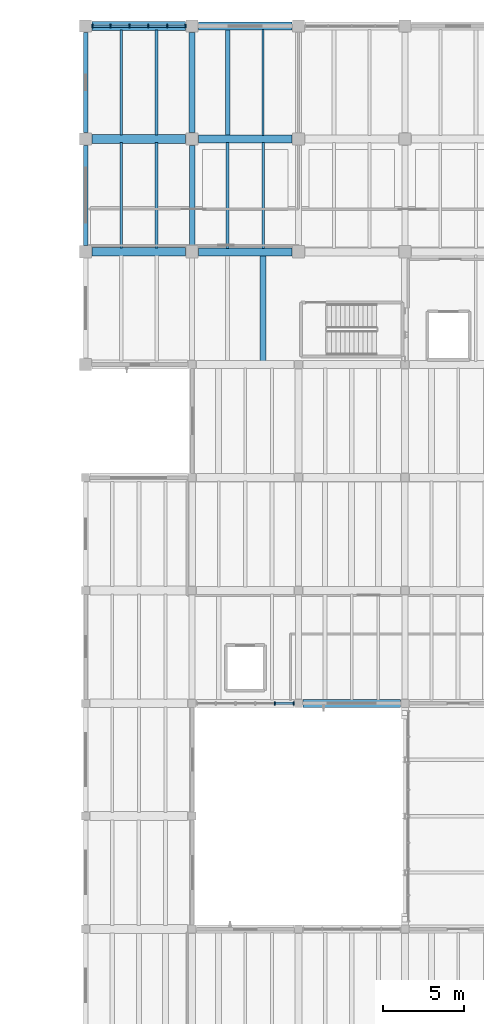
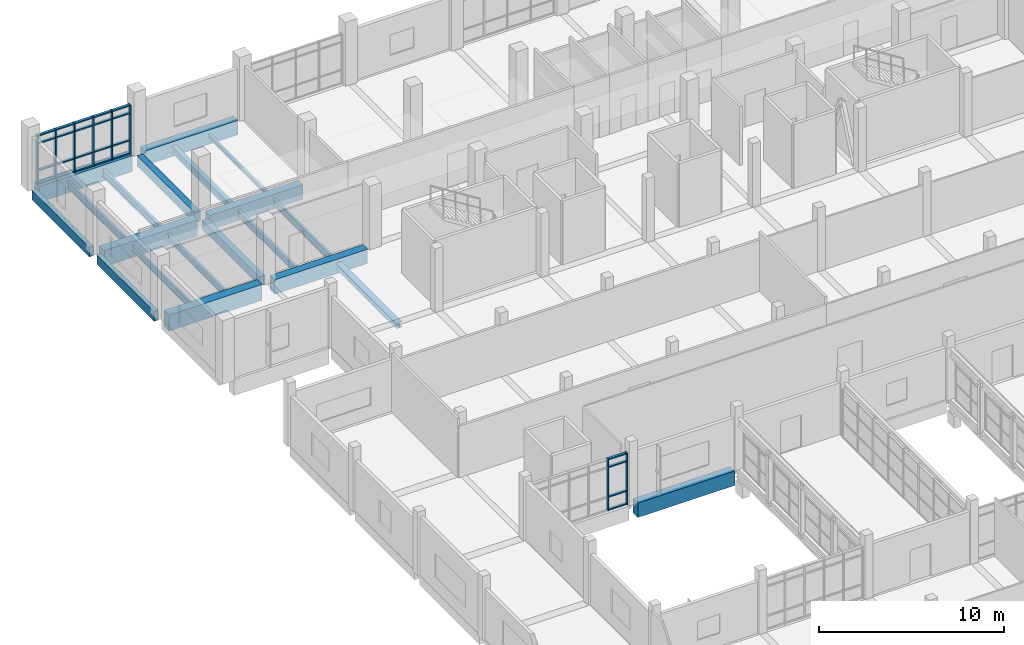
# One storey, part 25 of 65: 32 members, 20 beams, 2 elements without a shape of their own.
"""IFC4 building model written with IfcOpenShell, lengths in metres."""

from ifc_helpers import new_model, si_unit, direction, frame, origin, origin_2d, place, context, subcontext, project, spatial, rectangle, i_section, extrude, material, material_profile, profile_set, type_object, element, aggregate, save


model = new_model("IFC4")

# Units and contexts
model_context = context("Model", 3, precision=1e-05, world=origin(), true_north=direction((0.0, 1.0)))
body_context = subcontext(model_context, "Body", "Model", "MODEL_VIEW")
ifc_project = project(units=[si_unit("LENGTHUNIT", "METRE"), si_unit("AREAUNIT", "SQUARE_METRE"), si_unit("VOLUMEUNIT", "CUBIC_METRE"), si_unit("PLANEANGLEUNIT", "RADIAN"), si_unit("MASSUNIT", "GRAM", prefix="KILO")], contexts=[model_context])

# Site, building, storey
site_placement = place(None, origin())
site = spatial("IfcSite", under=ifc_project, at=site_placement, CompositionType="ELEMENT")
building_placement = place(site_placement, origin())
building = spatial("IfcBuilding", under=site, at=building_placement, Name="Ciguamira Faculty of Natural Sciences", CompositionType="ELEMENT")
storey_placement = place(building_placement, frame((0.0, 0.0, 12.60009765625)))
storey = spatial("IfcBuildingStorey", under=building, at=storey_placement, Name="L03", CompositionType="ELEMENT", Elevation=12.60009765625)

# Curtain wall, members
ifc_material_1 = material(Name="Anodized aluminium curtain wall", Category="aluminium")
curtain_wall_type_1 = type_object("IfcCurtainWallType", Name="CurtainWall_CW-09", PredefinedType="USERDEFINED", material=ifc_material_1)
curtain_wall_1_placement = place(storey_placement, origin())
curtain_wall_1 = element("IfcCurtainWall", 1, at=curtain_wall_1_placement, inside=storey, type_object=curtain_wall_type_1, Name="L03 unitised curtain wall 0093", ObjectType="UNITISED CURTAIN WALL", PredefinedType="USERDEFINED")
ifc_material_2 = material(Name="Anodized aluminium mullion", Category="aluminium")
ifc_material_profile_1 = material_profile(ifc_material_2, rectangle(XDim=0.080078125, YDim=0.219970703125, at=origin_2d()), Name="ALU-MUL-80X220")
ifc_profile_set_1 = profile_set([ifc_material_profile_1], Name="Anodized aluminium mullion")
member_type_1 = type_object("IfcMemberType", Name="CWMullion_CWM-03", PredefinedType="MULLION", material=ifc_profile_set_1)
member_1_placement = place(storey_placement, frame((69.030029296875, 73.0, 0.0), z_axis=(0.0, 0.0, 1.0), x_axis=(1.0, 0.0, 0.0)))
member_1 = element("IfcMember", 2, at=member_1_placement, type_object=member_type_1, Name="CW-09 mullion 5", PredefinedType="MULLION", context=body_context, shape_type="SweptSolid", body=[
    extrude(rectangle(XDim=0.080078125, YDim=0.219970703125, at=origin_2d()), origin(), (0.0, 0.0, 1.0), 3.40478515625),
])
member_2_placement = place(storey_placement, frame((70.2099609375, 73.0, 0.0), z_axis=(0.0, 0.0, 1.0), x_axis=(1.0, 0.0, 0.0)))
member_2 = element("IfcMember", 3, at=member_2_placement, type_object=member_type_1, Name="CW-09 mullion 6", PredefinedType="MULLION", context=body_context, shape_type="SweptSolid", body=[
    extrude(rectangle(XDim=0.080078125, YDim=0.219970703125, at=origin_2d()), origin(), (0.0, 0.0, 1.0), 3.40478515625),
])

curtain_wall_type_2 = type_object("IfcCurtainWallType", Name="CurtainWall_CW-12", PredefinedType="USERDEFINED", material=ifc_material_1)
curtain_wall_2_placement = place(storey_placement, origin())
curtain_wall_2 = element("IfcCurtainWall", 4, at=curtain_wall_2_placement, inside=storey, type_object=curtain_wall_type_2, Name="L03 unitised curtain wall 0096", ObjectType="UNITISED CURTAIN WALL", PredefinedType="USERDEFINED")
member_3_placement = place(storey_placement, frame((57.715087890625, 115.0, 0.0), z_axis=(0.0, 0.0, 1.0), x_axis=(1.0, 0.0, 0.0)))
member_3 = element("IfcMember", 5, at=member_3_placement, type_object=member_type_1, Name="CW-12 mullion 1", PredefinedType="MULLION", context=body_context, shape_type="SweptSolid", body=[
    extrude(rectangle(XDim=0.080078125, YDim=0.219970703125, at=origin_2d()), origin(), (0.0, 0.0, 1.0), 3.23486328125),
])
member_4_placement = place(storey_placement, frame((58.844970703125, 115.0, 0.0), z_axis=(0.0, 0.0, 1.0), x_axis=(1.0, 0.0, 0.0)))
member_4 = element("IfcMember", 6, at=member_4_placement, type_object=member_type_1, Name="CW-12 mullion 2", PredefinedType="MULLION", context=body_context, shape_type="SweptSolid", body=[
    extrude(rectangle(XDim=0.080078125, YDim=0.219970703125, at=origin_2d()), origin(), (0.0, 0.0, 1.0), 3.23486328125),
])
member_5_placement = place(storey_placement, frame((60.014892578125, 115.0, 0.0), z_axis=(0.0, 0.0, 1.0), x_axis=(1.0, 0.0, 0.0)))
member_5 = element("IfcMember", 7, at=member_5_placement, type_object=member_type_1, Name="CW-12 mullion 3", PredefinedType="MULLION", context=body_context, shape_type="SweptSolid", body=[
    extrude(rectangle(XDim=0.080078125, YDim=0.219970703125, at=origin_2d()), origin(), (0.0, 0.0, 1.0), 3.23486328125),
])
member_6_placement = place(storey_placement, frame((61.18505859375, 115.0, 0.0), z_axis=(0.0, 0.0, 1.0), x_axis=(1.0, 0.0, 0.0)))
member_6 = element("IfcMember", 8, at=member_6_placement, type_object=member_type_1, Name="CW-12 mullion 4", PredefinedType="MULLION", context=body_context, shape_type="SweptSolid", body=[
    extrude(rectangle(XDim=0.080078125, YDim=0.219970703125, at=origin_2d()), origin(), (0.0, 0.0, 1.0), 3.23486328125),
])
member_7_placement = place(storey_placement, frame((62.35498046875, 115.0, 0.0), z_axis=(0.0, 0.0, 1.0), x_axis=(1.0, 0.0, 0.0)))
member_7 = element("IfcMember", 9, at=member_7_placement, type_object=member_type_1, Name="CW-12 mullion 5", PredefinedType="MULLION", context=body_context, shape_type="SweptSolid", body=[
    extrude(rectangle(XDim=0.080078125, YDim=0.219970703125, at=origin_2d()), origin(), (0.0, 0.0, 1.0), 3.23486328125),
])
member_8_placement = place(storey_placement, frame((63.485107421875, 115.0, 0.0), z_axis=(0.0, 0.0, 1.0), x_axis=(1.0, 0.0, 0.0)))
member_8 = element("IfcMember", 10, at=member_8_placement, type_object=member_type_1, Name="CW-12 mullion 6", PredefinedType="MULLION", context=body_context, shape_type="SweptSolid", body=[
    extrude(rectangle(XDim=0.080078125, YDim=0.219970703125, at=origin_2d()), origin(), (0.0, 0.0, 1.0), 3.23486328125),
])

# Member
ifc_material_3 = material(Name="Anodized aluminium transom", Category="aluminium")
ifc_material_profile_2 = material_profile(ifc_material_3, rectangle(XDim=0.080078125, YDim=0.159912109375, at=origin_2d()), Name="ALU-TRN-80X160")
ifc_profile_set_2 = profile_set([ifc_material_profile_2], Name="Anodized aluminium transom")
member_type_2 = type_object("IfcMemberType", Name="CWTransom_CWT-03", PredefinedType="USERDEFINED", material=ifc_profile_set_2)
member_9_placement = place(storey_placement, frame((69.070068359375, 73.0, 0.039794921875), z_axis=(1.0, 0.0, 0.0), x_axis=(0.0, 0.0, 1.0)))
member_9 = element("IfcMember", 11, at=member_9_placement, type_object=member_type_2, Name="CW-09 transom 5.1", ObjectType="TRANSOM", PredefinedType="USERDEFINED", context=body_context, shape_type="SweptSolid", body=[
    extrude(rectangle(XDim=0.080078125, YDim=0.159912109375, at=origin_2d()), origin(), (0.0, 0.0, 1.0), 1.099853515625),
])

member_10_placement = place(storey_placement, frame((69.070068359375, 73.0, 0.89990234375), z_axis=(1.0, 0.0, 0.0), x_axis=(0.0, 0.0, 1.0)))
member_10 = element("IfcMember", 12, at=member_10_placement, type_object=member_type_2, Name="CW-09 transom 5.2", ObjectType="TRANSOM", PredefinedType="USERDEFINED", context=body_context, shape_type="SweptSolid", body=[
    extrude(rectangle(XDim=0.080078125, YDim=0.159912109375, at=origin_2d()), origin(), (0.0, 0.0, 1.0), 1.099853515625),
])

member_11_placement = place(storey_placement, frame((69.070068359375, 73.0, 2.85498046875), z_axis=(1.0, 0.0, 0.0), x_axis=(0.0, 0.0, 1.0)))
member_11 = element("IfcMember", 13, at=member_11_placement, type_object=member_type_2, Name="CW-09 transom 5.3", ObjectType="TRANSOM", PredefinedType="USERDEFINED", context=body_context, shape_type="SweptSolid", body=[
    extrude(rectangle(XDim=0.080078125, YDim=0.159912109375, at=origin_2d()), origin(), (0.0, 0.0, 1.0), 1.099853515625),
])

member_12_placement = place(storey_placement, frame((69.070068359375, 73.0, 3.364990234375), z_axis=(1.0, 0.0, 0.0), x_axis=(0.0, 0.0, 1.0)))
member_12 = element("IfcMember", 14, at=member_12_placement, type_object=member_type_2, Name="CW-09 transom 5.4", ObjectType="TRANSOM", PredefinedType="USERDEFINED", context=body_context, shape_type="SweptSolid", body=[
    extrude(rectangle(XDim=0.080078125, YDim=0.159912109375, at=origin_2d()), origin(), (0.0, 0.0, 1.0), 1.099853515625),
])

aggregate(curtain_wall_1, [member_1, member_2, member_9, member_10, member_11, member_12])

member_13_placement = place(storey_placement, frame((57.7548828125, 115.0, 0.039794921875), z_axis=(1.0, 0.0, 0.0), x_axis=(0.0, 0.0, 1.0)))
member_13 = element("IfcMember", 15, at=member_13_placement, type_object=member_type_2, Name="CW-12 transom 1.1", ObjectType="TRANSOM", PredefinedType="USERDEFINED", context=body_context, shape_type="SweptSolid", body=[
    extrude(rectangle(XDim=0.080078125, YDim=0.159912109375, at=origin_2d()), origin(), (0.0, 0.0, 1.0), 1.050048828125),
])

member_14_placement = place(storey_placement, frame((57.7548828125, 115.0, 0.89990234375), z_axis=(1.0, 0.0, 0.0), x_axis=(0.0, 0.0, 1.0)))
member_14 = element("IfcMember", 16, at=member_14_placement, type_object=member_type_2, Name="CW-12 transom 1.2", ObjectType="TRANSOM", PredefinedType="USERDEFINED", context=body_context, shape_type="SweptSolid", body=[
    extrude(rectangle(XDim=0.080078125, YDim=0.159912109375, at=origin_2d()), origin(), (0.0, 0.0, 1.0), 1.050048828125),
])

member_15_placement = place(storey_placement, frame((57.7548828125, 115.0, 2.684814453125), z_axis=(1.0, 0.0, 0.0), x_axis=(0.0, 0.0, 1.0)))
member_15 = element("IfcMember", 17, at=member_15_placement, type_object=member_type_2, Name="CW-12 transom 1.3", ObjectType="TRANSOM", PredefinedType="USERDEFINED", context=body_context, shape_type="SweptSolid", body=[
    extrude(rectangle(XDim=0.080078125, YDim=0.159912109375, at=origin_2d()), origin(), (0.0, 0.0, 1.0), 1.050048828125),
])

member_16_placement = place(storey_placement, frame((57.7548828125, 115.0, 3.19482421875), z_axis=(1.0, 0.0, 0.0), x_axis=(0.0, 0.0, 1.0)))
member_16 = element("IfcMember", 18, at=member_16_placement, type_object=member_type_2, Name="CW-12 transom 1.4", ObjectType="TRANSOM", PredefinedType="USERDEFINED", context=body_context, shape_type="SweptSolid", body=[
    extrude(rectangle(XDim=0.080078125, YDim=0.159912109375, at=origin_2d()), origin(), (0.0, 0.0, 1.0), 1.050048828125),
])

member_17_placement = place(storey_placement, frame((58.885009765625, 115.0, 0.039794921875), z_axis=(1.0, 0.0, 0.0), x_axis=(0.0, 0.0, 1.0)))
member_17 = element("IfcMember", 19, at=member_17_placement, type_object=member_type_2, Name="CW-12 transom 2.1", ObjectType="TRANSOM", PredefinedType="USERDEFINED", context=body_context, shape_type="SweptSolid", body=[
    extrude(rectangle(XDim=0.080078125, YDim=0.159912109375, at=origin_2d()), origin(), (0.0, 0.0, 1.0), 1.090087890625),
])

member_18_placement = place(storey_placement, frame((58.885009765625, 115.0, 0.89990234375), z_axis=(1.0, 0.0, 0.0), x_axis=(0.0, 0.0, 1.0)))
member_18 = element("IfcMember", 20, at=member_18_placement, type_object=member_type_2, Name="CW-12 transom 2.2", ObjectType="TRANSOM", PredefinedType="USERDEFINED", context=body_context, shape_type="SweptSolid", body=[
    extrude(rectangle(XDim=0.080078125, YDim=0.159912109375, at=origin_2d()), origin(), (0.0, 0.0, 1.0), 1.090087890625),
])

member_19_placement = place(storey_placement, frame((58.885009765625, 115.0, 2.684814453125), z_axis=(1.0, 0.0, 0.0), x_axis=(0.0, 0.0, 1.0)))
member_19 = element("IfcMember", 21, at=member_19_placement, type_object=member_type_2, Name="CW-12 transom 2.3", ObjectType="TRANSOM", PredefinedType="USERDEFINED", context=body_context, shape_type="SweptSolid", body=[
    extrude(rectangle(XDim=0.080078125, YDim=0.159912109375, at=origin_2d()), origin(), (0.0, 0.0, 1.0), 1.090087890625),
])

member_20_placement = place(storey_placement, frame((58.885009765625, 115.0, 3.19482421875), z_axis=(1.0, 0.0, 0.0), x_axis=(0.0, 0.0, 1.0)))
member_20 = element("IfcMember", 22, at=member_20_placement, type_object=member_type_2, Name="CW-12 transom 2.4", ObjectType="TRANSOM", PredefinedType="USERDEFINED", context=body_context, shape_type="SweptSolid", body=[
    extrude(rectangle(XDim=0.080078125, YDim=0.159912109375, at=origin_2d()), origin(), (0.0, 0.0, 1.0), 1.090087890625),
])

member_21_placement = place(storey_placement, frame((60.054931640625, 115.0, 0.039794921875), z_axis=(1.0, 0.0, 0.0), x_axis=(0.0, 0.0, 1.0)))
member_21 = element("IfcMember", 23, at=member_21_placement, type_object=member_type_2, Name="CW-12 transom 3.1", ObjectType="TRANSOM", PredefinedType="USERDEFINED", context=body_context, shape_type="SweptSolid", body=[
    extrude(rectangle(XDim=0.080078125, YDim=0.159912109375, at=origin_2d()), origin(), (0.0, 0.0, 1.0), 1.090087890625),
])

member_22_placement = place(storey_placement, frame((60.054931640625, 115.0, 0.89990234375), z_axis=(1.0, 0.0, 0.0), x_axis=(0.0, 0.0, 1.0)))
member_22 = element("IfcMember", 24, at=member_22_placement, type_object=member_type_2, Name="CW-12 transom 3.2", ObjectType="TRANSOM", PredefinedType="USERDEFINED", context=body_context, shape_type="SweptSolid", body=[
    extrude(rectangle(XDim=0.080078125, YDim=0.159912109375, at=origin_2d()), origin(), (0.0, 0.0, 1.0), 1.090087890625),
])

member_23_placement = place(storey_placement, frame((60.054931640625, 115.0, 2.684814453125), z_axis=(1.0, 0.0, 0.0), x_axis=(0.0, 0.0, 1.0)))
member_23 = element("IfcMember", 25, at=member_23_placement, type_object=member_type_2, Name="CW-12 transom 3.3", ObjectType="TRANSOM", PredefinedType="USERDEFINED", context=body_context, shape_type="SweptSolid", body=[
    extrude(rectangle(XDim=0.080078125, YDim=0.159912109375, at=origin_2d()), origin(), (0.0, 0.0, 1.0), 1.090087890625),
])

member_24_placement = place(storey_placement, frame((60.054931640625, 115.0, 3.19482421875), z_axis=(1.0, 0.0, 0.0), x_axis=(0.0, 0.0, 1.0)))
member_24 = element("IfcMember", 26, at=member_24_placement, type_object=member_type_2, Name="CW-12 transom 3.4", ObjectType="TRANSOM", PredefinedType="USERDEFINED", context=body_context, shape_type="SweptSolid", body=[
    extrude(rectangle(XDim=0.080078125, YDim=0.159912109375, at=origin_2d()), origin(), (0.0, 0.0, 1.0), 1.090087890625),
])

member_25_placement = place(storey_placement, frame((61.22509765625, 115.0, 0.039794921875), z_axis=(1.0, 0.0, 0.0), x_axis=(0.0, 0.0, 1.0)))
member_25 = element("IfcMember", 27, at=member_25_placement, type_object=member_type_2, Name="CW-12 transom 4.1", ObjectType="TRANSOM", PredefinedType="USERDEFINED", context=body_context, shape_type="SweptSolid", body=[
    extrude(rectangle(XDim=0.080078125, YDim=0.159912109375, at=origin_2d()), origin(), (0.0, 0.0, 1.0), 1.08984375),
])

member_26_placement = place(storey_placement, frame((61.22509765625, 115.0, 0.89990234375), z_axis=(1.0, 0.0, 0.0), x_axis=(0.0, 0.0, 1.0)))
member_26 = element("IfcMember", 28, at=member_26_placement, type_object=member_type_2, Name="CW-12 transom 4.2", ObjectType="TRANSOM", PredefinedType="USERDEFINED", context=body_context, shape_type="SweptSolid", body=[
    extrude(rectangle(XDim=0.080078125, YDim=0.159912109375, at=origin_2d()), origin(), (0.0, 0.0, 1.0), 1.08984375),
])

member_27_placement = place(storey_placement, frame((61.22509765625, 115.0, 2.684814453125), z_axis=(1.0, 0.0, 0.0), x_axis=(0.0, 0.0, 1.0)))
member_27 = element("IfcMember", 29, at=member_27_placement, type_object=member_type_2, Name="CW-12 transom 4.3", ObjectType="TRANSOM", PredefinedType="USERDEFINED", context=body_context, shape_type="SweptSolid", body=[
    extrude(rectangle(XDim=0.080078125, YDim=0.159912109375, at=origin_2d()), origin(), (0.0, 0.0, 1.0), 1.08984375),
])

member_28_placement = place(storey_placement, frame((61.22509765625, 115.0, 3.19482421875), z_axis=(1.0, 0.0, 0.0), x_axis=(0.0, 0.0, 1.0)))
member_28 = element("IfcMember", 30, at=member_28_placement, type_object=member_type_2, Name="CW-12 transom 4.4", ObjectType="TRANSOM", PredefinedType="USERDEFINED", context=body_context, shape_type="SweptSolid", body=[
    extrude(rectangle(XDim=0.080078125, YDim=0.159912109375, at=origin_2d()), origin(), (0.0, 0.0, 1.0), 1.08984375),
])

member_29_placement = place(storey_placement, frame((62.39501953125, 115.0, 0.039794921875), z_axis=(1.0, 0.0, 0.0), x_axis=(0.0, 0.0, 1.0)))
member_29 = element("IfcMember", 31, at=member_29_placement, type_object=member_type_2, Name="CW-12 transom 5.1", ObjectType="TRANSOM", PredefinedType="USERDEFINED", context=body_context, shape_type="SweptSolid", body=[
    extrude(rectangle(XDim=0.080078125, YDim=0.159912109375, at=origin_2d()), origin(), (0.0, 0.0, 1.0), 1.050048828125),
])

member_30_placement = place(storey_placement, frame((62.39501953125, 115.0, 0.89990234375), z_axis=(1.0, 0.0, 0.0), x_axis=(0.0, 0.0, 1.0)))
member_30 = element("IfcMember", 32, at=member_30_placement, type_object=member_type_2, Name="CW-12 transom 5.2", ObjectType="TRANSOM", PredefinedType="USERDEFINED", context=body_context, shape_type="SweptSolid", body=[
    extrude(rectangle(XDim=0.080078125, YDim=0.159912109375, at=origin_2d()), origin(), (0.0, 0.0, 1.0), 1.050048828125),
])

member_31_placement = place(storey_placement, frame((62.39501953125, 115.0, 2.684814453125), z_axis=(1.0, 0.0, 0.0), x_axis=(0.0, 0.0, 1.0)))
member_31 = element("IfcMember", 33, at=member_31_placement, type_object=member_type_2, Name="CW-12 transom 5.3", ObjectType="TRANSOM", PredefinedType="USERDEFINED", context=body_context, shape_type="SweptSolid", body=[
    extrude(rectangle(XDim=0.080078125, YDim=0.159912109375, at=origin_2d()), origin(), (0.0, 0.0, 1.0), 1.050048828125),
])

member_32_placement = place(storey_placement, frame((62.39501953125, 115.0, 3.19482421875), z_axis=(1.0, 0.0, 0.0), x_axis=(0.0, 0.0, 1.0)))
member_32 = element("IfcMember", 34, at=member_32_placement, type_object=member_type_2, Name="CW-12 transom 5.4", ObjectType="TRANSOM", PredefinedType="USERDEFINED", context=body_context, shape_type="SweptSolid", body=[
    extrude(rectangle(XDim=0.080078125, YDim=0.159912109375, at=origin_2d()), origin(), (0.0, 0.0, 1.0), 1.050048828125),
])

aggregate(curtain_wall_2, [member_3, member_4, member_5, member_6, member_7, member_8, member_13, member_14, member_15, member_16, member_17, member_18, member_19, member_20, member_21, member_22, member_23, member_24, member_25, member_26, member_27, member_28, member_29, member_30, member_31, member_32])

# Beams
ifc_material_4 = material(Name="Concrete C40/50", Category="concrete")
ifc_material_profile_3 = material_profile(ifc_material_4, rectangle(XDim=0.550048828125, YDim=1.050048828125, at=origin_2d()), Name="RC-BM-550X1050")
ifc_profile_set_3 = profile_set([ifc_material_profile_3], Name="Concrete C40/50")
beam_type_1 = type_object("IfcBeamType", Name="RCBeam_BG-01_RC-BM-550X1050", PredefinedType="BEAM", material=ifc_profile_set_3)
for number, where, z_axis, x_axis, name in (
    (35, (57.699951171875, 101.0, -0.525146484375), (1.0, 0.0, 0.0), (0.0, 1.0, 0.0), "L03 RC girder EW-1156"),
    (36, (57.699951171875, 108.0, -0.525146484375), (1.0, 0.0, 0.0), (0.0, 1.0, 0.0), "L03 RC girder EW-1165"),
    (37, (57.699951171875, 115.0, -0.525146484375), (1.0, 0.0, 0.0), (0.0, 1.0, 0.0), "L03 RC girder EW-1174"),
):
    element("IfcBeam", number, at=place(storey_placement, frame(where, z_axis=z_axis, x_axis=x_axis)), inside=storey, type_object=beam_type_1, Name=name, PredefinedType="BEAM", context=body_context, shape_type="SweptSolid", body=[
        extrude(rectangle(XDim=0.550048828125, YDim=1.050048828125, at=origin_2d()), origin(), (0.0, 0.0, 1.0), 5.800048828125),
    ])
ifc_material_profile_4 = material_profile(ifc_material_4, rectangle(XDim=0.5, YDim=0.949951171875, at=origin_2d()), Name="RC-BM-500X950")
ifc_profile_set_4 = profile_set([ifc_material_profile_4], Name="Concrete C40/50")
beam_type_2 = type_object("IfcBeamType", Name="RCBeam_BG-02_RC-BM-500X950", PredefinedType="BEAM", material=ifc_profile_set_4)
beam_1_placement = place(storey_placement, frame((70.77490234375, 73.0, -0.47509765625), z_axis=(1.0, 0.0, 0.0), x_axis=(0.0, 1.0, 0.0)))
element("IfcBeam", 38, at=beam_1_placement, inside=storey, type_object=beam_type_2, Name="L03 RC girder EW-1122", PredefinedType="BEAM", context=body_context, shape_type="SweptSolid", body=[
    extrude(rectangle(XDim=0.5, YDim=0.949951171875, at=origin_2d()), origin(), (0.0, 0.0, 1.0), 6.050048828125),
])
for number, where, z_axis, x_axis, name in (
    (39, (64.300048828125, 101.0, -0.47509765625), (1.0, 0.0, 0.0), (0.0, 1.0, 0.0), "L03 RC girder EW-1157"),
    (40, (64.300048828125, 108.0, -0.47509765625), (1.0, 0.0, 0.0), (0.0, 1.0, 0.0), "L03 RC girder EW-1166"),
    (41, (64.300048828125, 115.0, -0.47509765625), (1.0, 0.0, 0.0), (0.0, 1.0, 0.0), "L03 RC girder EW-1175"),
):
    element("IfcBeam", number, at=place(storey_placement, frame(where, z_axis=z_axis, x_axis=x_axis)), inside=storey, type_object=beam_type_2, Name=name, PredefinedType="BEAM", context=body_context, shape_type="SweptSolid", body=[
        extrude(rectangle(XDim=0.5, YDim=0.949951171875, at=origin_2d()), origin(), (0.0, 0.0, 1.0), 5.800048828125),
    ])
ifc_material_profile_5 = material_profile(ifc_material_4, rectangle(XDim=0.3798828125, YDim=0.679931640625, at=origin_2d()), Name="RC-BM-380X680")
ifc_profile_set_5 = profile_set([ifc_material_profile_5], Name="Concrete C40/50")
beam_type_3 = type_object("IfcBeamType", Name="RCBeam_BG-09_RC-BM-380X680", PredefinedType="BEAM", material=ifc_profile_set_5)
beam_2_placement = place(storey_placement, frame((63.89990234375, 108.39990234375, -0.340087890625), z_axis=(0.0, 1.0, 0.0), x_axis=(-1.0, 0.0, 0.0)))
element("IfcBeam", 42, at=beam_2_placement, inside=storey, type_object=beam_type_3, Name="L03 girder NS-1228", PredefinedType="BEAM", context=body_context, shape_type="SweptSolid", body=[
    extrude(rectangle(XDim=0.3798828125, YDim=0.679931640625, at=origin_2d()), origin(), (0.0, 0.0, 1.0), 6.2001953125),
])
ifc_material_profile_6 = material_profile(ifc_material_4, rectangle(XDim=0.35009765625, YDim=0.60009765625, at=origin_2d()), Name="RC-BM-350X600")
ifc_profile_set_6 = profile_set([ifc_material_profile_6], Name="Concrete C40/50")
beam_type_4 = type_object("IfcBeamType", Name="RCBeam_BG-11_RC-BM-350X600", PredefinedType="BEAM", material=ifc_profile_set_6)
beam_3_placement = place(storey_placement, frame((63.89990234375, 101.39990234375, -0.300048828125), z_axis=(0.0, 1.0, 0.0), x_axis=(-1.0, 0.0, 0.0)))
element("IfcBeam", 43, at=beam_3_placement, inside=storey, type_object=beam_type_4, Name="L03 girder NS-1227", PredefinedType="BEAM", context=body_context, shape_type="SweptSolid", body=[
    extrude(rectangle(XDim=0.35009765625, YDim=0.60009765625, at=origin_2d()), origin(), (0.0, 0.0, 1.0), 6.2001953125),
])
ifc_material_5 = material(Name="Precast concrete C40/50", Category="concrete")
ifc_material_profile_7 = material_profile(ifc_material_5, rectangle(XDim=0.280029296875, YDim=0.6201171875, at=origin_2d()), Name="RC-SP-280X620")
ifc_profile_set_7 = profile_set([ifc_material_profile_7], Name="Precast concrete C40/50")
beam_type_5 = type_object("IfcBeamType", Name="RCBeam_SP-01_RC-SP-280X620", PredefinedType="SPANDREL", material=ifc_profile_set_7)
for number, where, z_axis, x_axis, name in (
    (44, (57.300048828125, 101.39990234375, -0.31005859375), (0.0, 1.0, 0.0), (-1.0, 0.0, 0.0), "L03 girder NS-1214"),
    (45, (57.300048828125, 108.39990234375, -0.31005859375), (0.0, 1.0, 0.0), (-1.0, 0.0, 0.0), "L03 girder NS-1215"),
):
    element("IfcBeam", number, at=place(storey_placement, frame(where, z_axis=z_axis, x_axis=x_axis)), inside=storey, type_object=beam_type_5, Name=name, PredefinedType="SPANDREL", context=body_context, shape_type="SweptSolid", body=[
        extrude(rectangle(XDim=0.280029296875, YDim=0.6201171875, at=origin_2d()), origin(), (0.0, 0.0, 1.0), 6.2001953125),
    ])
ifc_material_6 = material(Name="Steel ASTM A992 Grade 50", Category="steel")
ifc_material_profile_8 = material_profile(ifc_material_6, i_section(OverallWidth=0.14599609375, OverallDepth=0.259033203125, WebThickness=0.006103515625, FlangeThickness=0.009033203125, at=origin_2d()), Name="W10X22")
ifc_profile_set_8 = profile_set([ifc_material_profile_8], Name="Steel ASTM A992 Grade 50")
beam_type_6 = type_object("IfcBeamType", Name="SteelJoist_SJ-01_W10X22", PredefinedType="JOIST", material=ifc_profile_set_8)
beam_4_placement = place(storey_placement, frame((68.300048828125, 108.2099609375, -0.36962890625), z_axis=(0.0, 1.0, 0.0), x_axis=(-1.0, 0.0, 0.0)))
element("IfcBeam", 46, at=beam_4_placement, inside=storey, type_object=beam_type_6, Name="L03 composite steel joist 01076", PredefinedType="JOIST", context=body_context, shape_type="SweptSolid", body=[
    extrude(i_section(OverallWidth=0.14599609375, OverallDepth=0.259033203125, WebThickness=0.006103515625, FlangeThickness=0.009033203125, at=origin_2d()), origin(), (0.0, 0.0, 1.0), 6.580078125),
])
ifc_material_profile_9 = material_profile(ifc_material_6, i_section(OverallWidth=0.368408203125, OverallDepth=0.355712890625, WebThickness=0.01123046875, FlangeThickness=0.01806640625, at=origin_2d()), Name="W14X90")
ifc_profile_set_9 = profile_set([ifc_material_profile_9], Name="Steel ASTM A992 Grade 50")
beam_type_7 = type_object("IfcBeamType", Name="SteelJoist_SJ-16_W14X90", PredefinedType="JOIST", material=ifc_profile_set_9)
beam_5_placement = place(storey_placement, frame((68.300048828125, 94.2099609375, -0.41796875), z_axis=(0.0, 1.0, 0.0), x_axis=(-1.0, 0.0, 0.0)))
element("IfcBeam", 47, at=beam_5_placement, inside=storey, type_object=beam_type_7, Name="L03 composite steel joist 01072", PredefinedType="JOIST", context=body_context, shape_type="SweptSolid", body=[
    extrude(i_section(OverallWidth=0.368408203125, OverallDepth=0.355712890625, WebThickness=0.01123046875, FlangeThickness=0.01806640625, at=origin_2d()), origin(), (0.0, 0.0, 1.0), 6.580078125),
])
ifc_material_profile_10 = material_profile(ifc_material_6, i_section(OverallWidth=0.140380859375, OverallDepth=0.40380859375, WebThickness=0.007080078125, FlangeThickness=0.01123046875, at=origin_2d()), Name="W16X31")
ifc_profile_set_10 = profile_set([ifc_material_profile_10], Name="Steel ASTM A992 Grade 50")
beam_type_8 = type_object("IfcBeamType", Name="SteelJoist_SJ-17_W16X31", PredefinedType="JOIST", material=ifc_profile_set_10)
beam_6_placement = place(storey_placement, frame((59.5, 101.235107421875, -0.44189453125), z_axis=(0.0, 1.0, 0.0), x_axis=(-1.0, 0.0, 0.0)))
element("IfcBeam", 48, at=beam_6_placement, inside=storey, type_object=beam_type_8, Name="L03 composite steel joist 01044", PredefinedType="JOIST", context=body_context, shape_type="SweptSolid", body=[
    extrude(i_section(OverallWidth=0.140380859375, OverallDepth=0.40380859375, WebThickness=0.007080078125, FlangeThickness=0.01123046875, at=origin_2d()), origin(), (0.0, 0.0, 1.0), 6.52978515625),
])
ifc_material_profile_11 = material_profile(ifc_material_6, i_section(OverallWidth=0.177490234375, OverallDepth=0.40380859375, WebThickness=0.007568359375, FlangeThickness=0.010986328125, at=origin_2d()), Name="W16X36")
ifc_profile_set_11 = profile_set([ifc_material_profile_11], Name="Steel ASTM A992 Grade 50")
beam_type_9 = type_object("IfcBeamType", Name="SteelJoist_SJ-18_W16X36", PredefinedType="JOIST", material=ifc_profile_set_11)
beam_7_placement = place(storey_placement, frame((61.699951171875, 101.235107421875, -0.44189453125), z_axis=(0.0, 1.0, 0.0), x_axis=(-1.0, 0.0, 0.0)))
element("IfcBeam", 49, at=beam_7_placement, inside=storey, type_object=beam_type_9, Name="L03 composite steel joist 01045", PredefinedType="JOIST", context=body_context, shape_type="SweptSolid", body=[
    extrude(i_section(OverallWidth=0.177490234375, OverallDepth=0.40380859375, WebThickness=0.007568359375, FlangeThickness=0.010986328125, at=origin_2d()), origin(), (0.0, 0.0, 1.0), 6.52978515625),
])
ifc_material_profile_12 = material_profile(ifc_material_6, i_section(OverallWidth=0.180908203125, OverallDepth=0.41650390625, WebThickness=0.010986328125, FlangeThickness=0.01806640625, at=origin_2d()), Name="W16X57")
ifc_profile_set_12 = profile_set([ifc_material_profile_12], Name="Steel ASTM A992 Grade 50")
beam_type_10 = type_object("IfcBeamType", Name="SteelJoist_SJ-20_W16X57", PredefinedType="JOIST", material=ifc_profile_set_12)
beam_8_placement = place(storey_placement, frame((66.10009765625, 101.2099609375, -0.448486328125), z_axis=(0.0, 1.0, 0.0), x_axis=(-1.0, 0.0, 0.0)))
element("IfcBeam", 50, at=beam_8_placement, inside=storey, type_object=beam_type_10, Name="L03 composite steel joist 01073", PredefinedType="JOIST", context=body_context, shape_type="SweptSolid", body=[
    extrude(i_section(OverallWidth=0.180908203125, OverallDepth=0.41650390625, WebThickness=0.010986328125, FlangeThickness=0.01806640625, at=origin_2d()), origin(), (0.0, 0.0, 1.0), 6.580078125),
])
ifc_material_profile_13 = material_profile(ifc_material_6, i_section(OverallWidth=0.15234375, OverallDepth=0.449462890625, WebThickness=0.007568359375, FlangeThickness=0.0107421875, at=origin_2d()), Name="W18X35")
ifc_profile_set_13 = profile_set([ifc_material_profile_13], Name="Steel ASTM A992 Grade 50")
beam_type_11 = type_object("IfcBeamType", Name="SteelJoist_SJ-21_W18X35", PredefinedType="JOIST", material=ifc_profile_set_13)
beam_9_placement = place(storey_placement, frame((68.300048828125, 101.2099609375, -0.46484375), z_axis=(0.0, 1.0, 0.0), x_axis=(-1.0, 0.0, 0.0)))
element("IfcBeam", 51, at=beam_9_placement, inside=storey, type_object=beam_type_11, Name="L03 composite steel joist 01074", PredefinedType="JOIST", context=body_context, shape_type="SweptSolid", body=[
    extrude(i_section(OverallWidth=0.15234375, OverallDepth=0.449462890625, WebThickness=0.007568359375, FlangeThickness=0.0107421875, at=origin_2d()), origin(), (0.0, 0.0, 1.0), 6.580078125),
])
ifc_material_profile_14 = material_profile(ifc_material_6, i_section(OverallWidth=0.15283203125, OverallDepth=0.45458984375, WebThickness=0.008056640625, FlangeThickness=0.013427734375, at=origin_2d()), Name="W18X40")
ifc_profile_set_14 = profile_set([ifc_material_profile_14], Name="Steel ASTM A992 Grade 50")
beam_type_12 = type_object("IfcBeamType", Name="SteelJoist_SJ-22_W18X40", PredefinedType="JOIST", material=ifc_profile_set_14)
beam_10_placement = place(storey_placement, frame((59.5, 108.235107421875, -0.46728515625), z_axis=(0.0, 1.0, 0.0), x_axis=(-1.0, 0.0, 0.0)))
element("IfcBeam", 52, at=beam_10_placement, inside=storey, type_object=beam_type_12, Name="L03 composite steel joist 01046", PredefinedType="JOIST", context=body_context, shape_type="SweptSolid", body=[
    extrude(i_section(OverallWidth=0.15283203125, OverallDepth=0.45458984375, WebThickness=0.008056640625, FlangeThickness=0.013427734375, at=origin_2d()), origin(), (0.0, 0.0, 1.0), 6.52978515625),
])
ifc_material_profile_15 = material_profile(ifc_material_6, i_section(OverallWidth=0.1904296875, OverallDepth=0.457275390625, WebThickness=0.009033203125, FlangeThickness=0.014404296875, at=origin_2d()), Name="W18X50")
ifc_profile_set_15 = profile_set([ifc_material_profile_15], Name="Steel ASTM A992 Grade 50")
beam_type_13 = type_object("IfcBeamType", Name="SteelJoist_SJ-23_W18X50", PredefinedType="JOIST", material=ifc_profile_set_15)
beam_11_placement = place(storey_placement, frame((61.699951171875, 108.235107421875, -0.46875), z_axis=(0.0, 1.0, 0.0), x_axis=(-1.0, 0.0, 0.0)))
element("IfcBeam", 53, at=beam_11_placement, inside=storey, type_object=beam_type_13, Name="L03 composite steel joist 01047", PredefinedType="JOIST", context=body_context, shape_type="SweptSolid", body=[
    extrude(i_section(OverallWidth=0.1904296875, OverallDepth=0.457275390625, WebThickness=0.009033203125, FlangeThickness=0.014404296875, at=origin_2d()), origin(), (0.0, 0.0, 1.0), 6.52978515625),
])
ifc_material_profile_16 = material_profile(ifc_material_6, i_section(OverallWidth=0.279296875, OverallDepth=0.462158203125, WebThickness=0.0107421875, FlangeThickness=0.017333984375, at=origin_2d()), Name="W18X76")
ifc_profile_set_16 = profile_set([ifc_material_profile_16], Name="Steel ASTM A992 Grade 50")
beam_type_14 = type_object("IfcBeamType", Name="SteelJoist_SJ-25_W18X76", PredefinedType="JOIST", material=ifc_profile_set_16)
beam_12_placement = place(storey_placement, frame((66.10009765625, 108.2099609375, -0.47119140625), z_axis=(0.0, 1.0, 0.0), x_axis=(-1.0, 0.0, 0.0)))
element("IfcBeam", 54, at=beam_12_placement, inside=storey, type_object=beam_type_14, Name="L03 composite steel joist 01075", PredefinedType="JOIST", context=body_context, shape_type="SweptSolid", body=[
    extrude(i_section(OverallWidth=0.279296875, OverallDepth=0.462158203125, WebThickness=0.0107421875, FlangeThickness=0.017333984375, at=origin_2d()), origin(), (0.0, 0.0, 1.0), 6.580078125),
])

save(model, "model.ifc")
